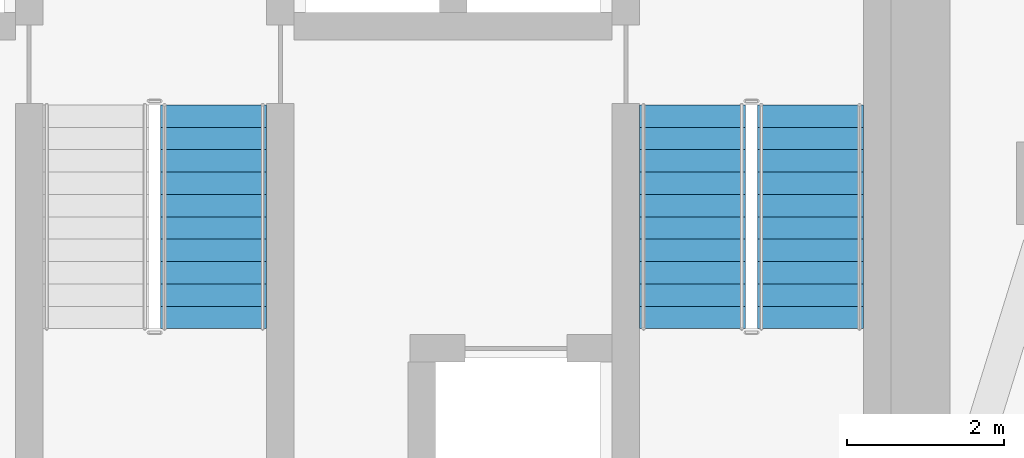
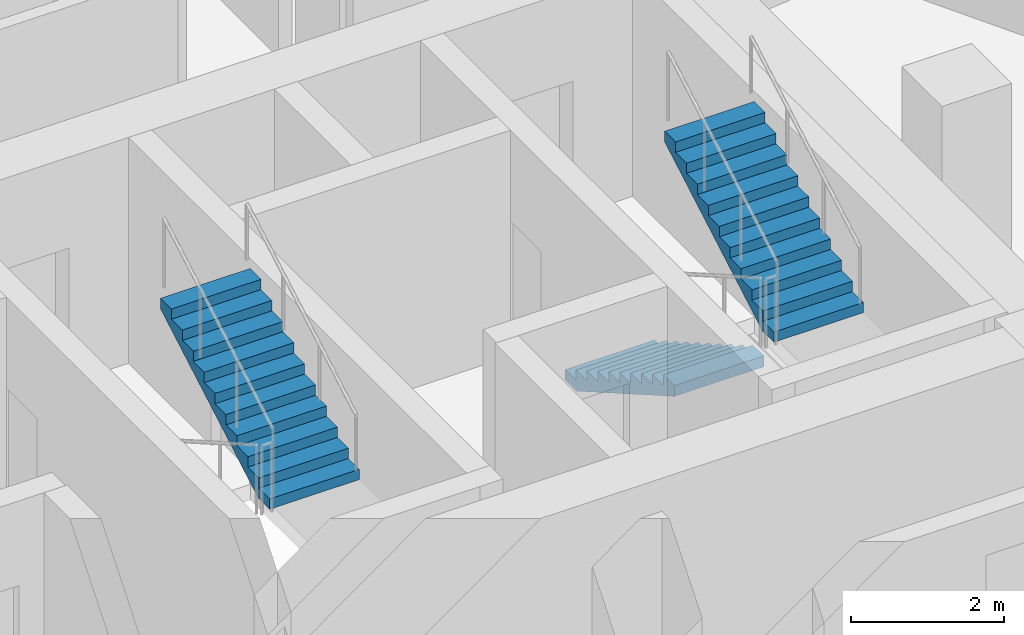
# One storey, part 9 of 11: 3 stair flights, 2 elements without a shape of their own.
"""IFC4 building model written with IfcOpenShell, lengths in metres."""

import ifcopenshell
import ifcopenshell.guid

model = None  # the IFC model being written
_history = None  # IfcOwnerHistory: only IFC2X3 demands one
_inside = {}  # id of a spatial element -> (the spatial element, [elements in it])
_under = {}  # id of a project, library or spatial element -> (it, [spatial elements below it])
_declared = {}  # id of a project -> (the project, [libraries it declares])
_typed = {}  # id of a type object -> (the type object, [elements of that type])
_made_of = {}  # id of a material, layer set ... -> (it, [elements and type objects made of it])


def new_model(schema):
    """Start an empty IFC model of exactly this schema.

    Asked for "IFC4X3", IfcOpenShell would pick the latest addendum, in which some entities
    have other attributes; the version numbers below select the first issue.
    IFC2X3 requires an IfcOwnerHistory on every rooted entity: one is made here for all.
    """
    global model, _history
    if schema == "IFC4X3":
        model = ifcopenshell.file(schema_version=(4, 3, 0, 0))
    else:
        model = ifcopenshell.file(schema=schema)
    _inside.clear()
    _under.clear()
    _declared.clear()
    _typed.clear()
    _made_of.clear()
    _history = None
    if model.schema == "IFC2X3":
        org = make("IfcOrganization", Name="unknown")
        user = make(
            "IfcPersonAndOrganization",
            ThePerson=make("IfcPerson", FamilyName="unknown"),
            TheOrganization=org,
        )
        app = make(
            "IfcApplication",
            ApplicationDeveloper=org,
            Version="unknown",
            ApplicationFullName="unknown",
            ApplicationIdentifier="unknown",
        )
        _history = make(
            "IfcOwnerHistory",
            OwningUser=user,
            OwningApplication=app,
            ChangeAction="ADDED",
            CreationDate=0,
        )
    return model


def make(cls, **values):
    """One entity of the class cls with the attributes given. An attribute that is None is left unset."""
    return model.create_entity(
        cls, **{name: value for name, value in values.items() if value is not None}
    )


def rooted(cls, **values):
    """An entity with a GlobalId (a new one), such as an element, a storey or a relation."""
    return make(cls, GlobalId=ifcopenshell.guid.new(), OwnerHistory=_history, **values)


def si_unit(unit_type, name, prefix=None):
    """IfcSIUnit, for example si_unit("LENGTHUNIT", "METRE", prefix="MILLI")."""
    return make("IfcSIUnit", UnitType=unit_type, Prefix=prefix, Name=name)


def assignment(units):
    """IfcUnitAssignment: the units of a project."""
    return None if units is None else make("IfcUnitAssignment", Units=units)


def point(xyz):
    """IfcCartesianPoint."""
    return None if xyz is None else make("IfcCartesianPoint", Coordinates=xyz)


def direction(xyz):
    """IfcDirection."""
    return None if xyz is None else make("IfcDirection", DirectionRatios=xyz)


def frame(location, z_axis=None, x_axis=None):
    """IfcAxis2Placement3D, a coordinate frame: its origin and axes. An axis left out is left unset."""
    return make(
        "IfcAxis2Placement3D",
        Location=point(location),
        Axis=direction(z_axis),
        RefDirection=direction(x_axis),
    )


def origin():
    """The frame at (0, 0, 0) with its axes left unset."""
    return frame((0.0, 0.0, 0.0))


def place(relative_to, where):
    """IfcLocalPlacement: puts the frame where relative to a parent placement (None: the world)."""
    return make(
        "IfcLocalPlacement", PlacementRelTo=relative_to, RelativePlacement=where
    )


def context(
    kind, dimensions, precision=None, world=None, true_north=None, identifier=None
):
    """IfcGeometricRepresentationContext, for example the 3D "Model" context."""
    return make(
        "IfcGeometricRepresentationContext",
        ContextIdentifier=identifier,
        ContextType=kind,
        CoordinateSpaceDimension=dimensions,
        Precision=precision,
        WorldCoordinateSystem=world,
        TrueNorth=true_north,
    )


def subcontext(parent, identifier, kind, view, scale=None):
    """IfcGeometricRepresentationSubContext, for example "Body" below "Model"."""
    return make(
        "IfcGeometricRepresentationSubContext",
        ContextIdentifier=identifier,
        ContextType=kind,
        ParentContext=parent,
        TargetScale=scale,
        TargetView=view,
    )


def project(units=None, contexts=None):
    """IfcProject with its units and contexts."""
    return rooted(
        "IfcProject",
        Name="project",
        RepresentationContexts=contexts,
        UnitsInContext=assignment(units),
    )


def spatial(cls, under=None, at=None, **own):
    """A site, building, storey or space (cls), placed at a placement, below another one or the project."""
    s = rooted(cls, ObjectPlacement=at, **own)
    if under is not None:
        _under.setdefault(under.id(), (under, []))[1].append(s)
    return s


def polyline(points):
    """IfcPolyline through the points."""
    return make("IfcPolyline", Points=[point(p) for p in points])


def outline(outer, holes=None, kind="AREA"):
    """IfcArbitraryClosedProfileDef: a profile drawn as a closed curve; with holes, ...WithVoids."""
    if holes is None:
        return make("IfcArbitraryClosedProfileDef", ProfileType=kind, OuterCurve=outer)
    return make(
        "IfcArbitraryProfileDefWithVoids",
        ProfileType=kind,
        OuterCurve=outer,
        InnerCurves=holes,
    )


def extrude(swept, where, along, depth):
    """IfcExtrudedAreaSolid: the profile swept, set in the frame where, extruded along a direction by depth."""
    return make(
        "IfcExtrudedAreaSolid",
        SweptArea=swept,
        Position=where,
        ExtrudedDirection=direction(along),
        Depth=depth,
    )


def shape(context_of_items, identifier, shape_type, items):
    """IfcShapeRepresentation: the items that make up one representation, for example the "Body"."""
    return make(
        "IfcShapeRepresentation",
        ContextOfItems=context_of_items,
        RepresentationIdentifier=identifier,
        RepresentationType=shape_type,
        Items=items,
    )


def material(Name=None, Category=None):
    """IfcMaterial."""
    return make("IfcMaterial", Name=Name, Category=Category)


def made_of(thing, what):
    """Note that an element or type object is made of a material, layer set ...; save() writes the relation."""
    if what is not None:
        _made_of.setdefault(what.id(), (what, []))[1].append(thing)
    return thing


def type_object(cls, material=None, **own):
    """A type object (cls), such as IfcWallType, which elements share."""
    return made_of(rooted(cls, **own), material)


def element(
    cls,
    number,
    at=None,
    inside=None,
    cuts=None,
    type_object=None,
    material=None,
    context=None,
    identifier="Body",
    shape_type=None,
    held_by="IfcProductDefinitionShape",
    body=None,
    shapes=None,
    **own,
):
    """One element of the class cls, such as IfcWall. Its Tag is "e" and its number.

    at: its placement. inside: the storey or other place that contains it. cuts: it is an
    opening in that element (IfcRelVoidsElement). A single representation is given by context,
    identifier, shape_type and body (its items); several are given by shapes. held_by: the class
    of the entity that holds the representations. save() writes the other relations.
    """
    e = rooted(cls, Tag="e%d" % number, ObjectPlacement=at, **own)
    if body is not None:
        shapes = [shape(context, identifier, shape_type, body)]
    if shapes is not None:
        e.Representation = make(held_by, Representations=shapes)
    if inside is not None:
        _inside.setdefault(inside.id(), (inside, []))[1].append(e)
    if cuts is not None:
        rooted(
            "IfcRelVoidsElement", RelatingBuildingElement=cuts, RelatedOpeningElement=e
        )
    if type_object is not None:
        _typed.setdefault(type_object.id(), (type_object, []))[1].append(e)
    return made_of(e, material)


def aggregate(whole, parts):
    """IfcRelAggregates: a whole, such as a stair, and the parts it consists of."""
    return rooted("IfcRelAggregates", RelatingObject=whole, RelatedObjects=parts)


def save(model, path):
    """Write the relations noted so far, then the file.

    IfcRelAggregates (storeys below a building ...), IfcRelContainedInSpatialStructure (elements
    in a storey), IfcRelDefinesByType, IfcRelAssociatesMaterial and IfcRelDeclares: one each for
    every whole, place, type object, material and project.
    """
    for whole, parts in _under.values():
        aggregate(whole, parts)
    for where, things in _inside.values():
        rooted(
            "IfcRelContainedInSpatialStructure",
            RelatedElements=things,
            RelatingStructure=where,
        )
    for kind, things in _typed.values():
        rooted("IfcRelDefinesByType", RelatedObjects=things, RelatingType=kind)
    for what, things in _made_of.values():
        rooted("IfcRelAssociatesMaterial", RelatedObjects=things, RelatingMaterial=what)
    for by, libraries in _declared.values():
        rooted("IfcRelDeclares", RelatingContext=by, RelatedDefinitions=libraries)
    model.write(path)


model = new_model("IFC4")

# Units and contexts
model_context = context("Model", 3, precision=1e-05, world=origin(), true_north=direction((0.0, 1.0)))
body_context = subcontext(model_context, "Body", "Model", "MODEL_VIEW")
ifc_project = project(units=[si_unit("LENGTHUNIT", "METRE"), si_unit("AREAUNIT", "SQUARE_METRE"), si_unit("VOLUMEUNIT", "CUBIC_METRE"), si_unit("PLANEANGLEUNIT", "RADIAN"), si_unit("MASSUNIT", "GRAM", prefix="KILO")], contexts=[model_context])

# Site, building, storey
site_placement = place(None, origin())
site = spatial("IfcSite", under=ifc_project, at=site_placement, CompositionType="ELEMENT")
building_placement = place(site_placement, origin())
building = spatial("IfcBuilding", under=site, at=building_placement, Name="Almagre Mirador Tower", CompositionType="ELEMENT")
storey_placement = place(building_placement, frame((0.0, 0.0, 178.800048828125)))
storey = spatial("IfcBuildingStorey", under=building, at=storey_placement, Name="L46", CompositionType="ELEMENT", Elevation=178.800048828125)

# Stair, stair flight
ifc_material_1 = material(Name="Concrete C45/55", Category="concrete")
stair_type = type_object("IfcStairType", Name="STR-DL-3600", PredefinedType="HALF_TURN_STAIR", material=ifc_material_1)
stair_1_placement = place(storey_placement, origin())
stair_1 = element("IfcStair", 1, at=stair_1_placement, inside=storey, type_object=stair_type, Name="L46 Protected exit stair ST-2", PredefinedType="HALF_TURN_STAIR")
ifc_material_2 = material(Name="Concrete C45/55", Category="concrete")
stair_flight_type = type_object("IfcStairFlightType", Name="FLT-DL-3600", PredefinedType="STRAIGHT", material=ifc_material_2)
stair_flight_1_placement = place(storey_placement, frame((38.050048828125, 8.35009765625, 1.800048828125), z_axis=(0.0, 0.0, 1.0), x_axis=(0.0, 1.0, 0.0)))
stair_flight_1 = element("IfcStairFlight", 2, at=stair_flight_1_placement, type_object=stair_flight_type, Name="ST-2 flight 2", NumberOfRisers=11, NumberOfTreads=10, PredefinedType="STRAIGHT", RiserHeight=0.163636364, TreadLength=0.285, context=body_context, shape_type="SweptSolid", body=[
    extrude(outline(polyline([(0.0, 0.0), (0.0, 0.16357421875), (0.284912109375, 0.16357421875), (0.284912109375, 0.327392578125), (0.570068359375, 0.327392578125), (0.570068359375, 0.490966796875), (0.85498046875, 0.490966796875), (0.85498046875, 0.654541015625), (1.139892578125, 0.654541015625), (1.139892578125, 0.818115234375), (1.425048828125, 0.818115234375), (1.425048828125, 0.98193359375), (1.7099609375, 0.98193359375), (1.7099609375, 1.1455078125), (1.9951171875, 1.1455078125), (1.9951171875, 1.30908203125), (2.280029296875, 1.30908203125), (2.280029296875, 1.47265625), (2.56494140625, 1.47265625), (2.56494140625, 1.636474609375), (2.85009765625, 1.636474609375), (2.85009765625, 1.800048828125), (2.85009765625, 1.463623046875), (0.301025390625, 0.0), (0.0, 0.0)])), frame((0.0, 0.675048828125, 0.0), z_axis=(0.0, -1.0, 0.0), x_axis=(1.0, 0.0, 0.0)), (0.0, 0.0, 1.0), 1.35009765625),
])
aggregate(stair_1, [stair_flight_1])

# Stair, stair flights
stair_2_placement = place(storey_placement, origin())
stair_2 = element("IfcStair", 3, at=stair_2_placement, inside=storey, type_object=stair_type, Name="L46 Protected exit stair ST-3", PredefinedType="HALF_TURN_STAIR")
stair_flight_2_placement = place(storey_placement, frame((44.14990234375, 11.199951171875, 0.0), z_axis=(0.0, 0.0, 1.0), x_axis=(0.0, -1.0, 0.0)))
stair_flight_2 = element("IfcStairFlight", 4, at=stair_flight_2_placement, type_object=stair_flight_type, Name="ST-3 flight 1", NumberOfRisers=11, NumberOfTreads=10, PredefinedType="STRAIGHT", RiserHeight=0.163636364, TreadLength=0.285, context=body_context, shape_type="SweptSolid", body=[
    extrude(outline(polyline([(0.0, 0.0), (0.0, 0.16357421875), (0.284912109375, 0.16357421875), (0.284912109375, 0.327392578125), (0.570068359375, 0.327392578125), (0.570068359375, 0.490966796875), (0.85498046875, 0.490966796875), (0.85498046875, 0.654541015625), (1.139892578125, 0.654541015625), (1.139892578125, 0.818115234375), (1.425048828125, 0.818115234375), (1.425048828125, 0.98193359375), (1.7099609375, 0.98193359375), (1.7099609375, 1.1455078125), (1.9951171875, 1.1455078125), (1.9951171875, 1.30908203125), (2.280029296875, 1.30908203125), (2.280029296875, 1.47265625), (2.56494140625, 1.47265625), (2.56494140625, 1.636474609375), (2.85009765625, 1.636474609375), (2.85009765625, 1.800048828125), (2.85009765625, 1.463623046875), (0.301025390625, 0.0), (0.0, 0.0)])), frame((0.0, 0.675048828125, 0.0), z_axis=(0.0, -1.0, 0.0), x_axis=(1.0, 0.0, 0.0)), (0.0, 0.0, 1.0), 1.35009765625),
])
stair_flight_3_placement = place(storey_placement, frame((45.64990234375, 8.35009765625, 1.800048828125), z_axis=(0.0, 0.0, 1.0), x_axis=(0.0, 1.0, 0.0)))
stair_flight_3 = element("IfcStairFlight", 5, at=stair_flight_3_placement, type_object=stair_flight_type, Name="ST-3 flight 2", NumberOfRisers=11, NumberOfTreads=10, PredefinedType="STRAIGHT", RiserHeight=0.163636364, TreadLength=0.285, context=body_context, shape_type="SweptSolid", body=[
    extrude(outline(polyline([(0.0, 0.0), (0.0, 0.16357421875), (0.284912109375, 0.16357421875), (0.284912109375, 0.327392578125), (0.570068359375, 0.327392578125), (0.570068359375, 0.490966796875), (0.85498046875, 0.490966796875), (0.85498046875, 0.654541015625), (1.139892578125, 0.654541015625), (1.139892578125, 0.818115234375), (1.425048828125, 0.818115234375), (1.425048828125, 0.98193359375), (1.7099609375, 0.98193359375), (1.7099609375, 1.1455078125), (1.9951171875, 1.1455078125), (1.9951171875, 1.30908203125), (2.280029296875, 1.30908203125), (2.280029296875, 1.47265625), (2.56494140625, 1.47265625), (2.56494140625, 1.636474609375), (2.85009765625, 1.636474609375), (2.85009765625, 1.800048828125), (2.85009765625, 1.463623046875), (0.301025390625, 0.0), (0.0, 0.0)])), frame((0.0, 0.675048828125, 0.0), z_axis=(0.0, -1.0, 0.0), x_axis=(1.0, 0.0, 0.0)), (0.0, 0.0, 1.0), 1.35009765625),
])
aggregate(stair_2, [stair_flight_2, stair_flight_3])

save(model, "model.ifc")
